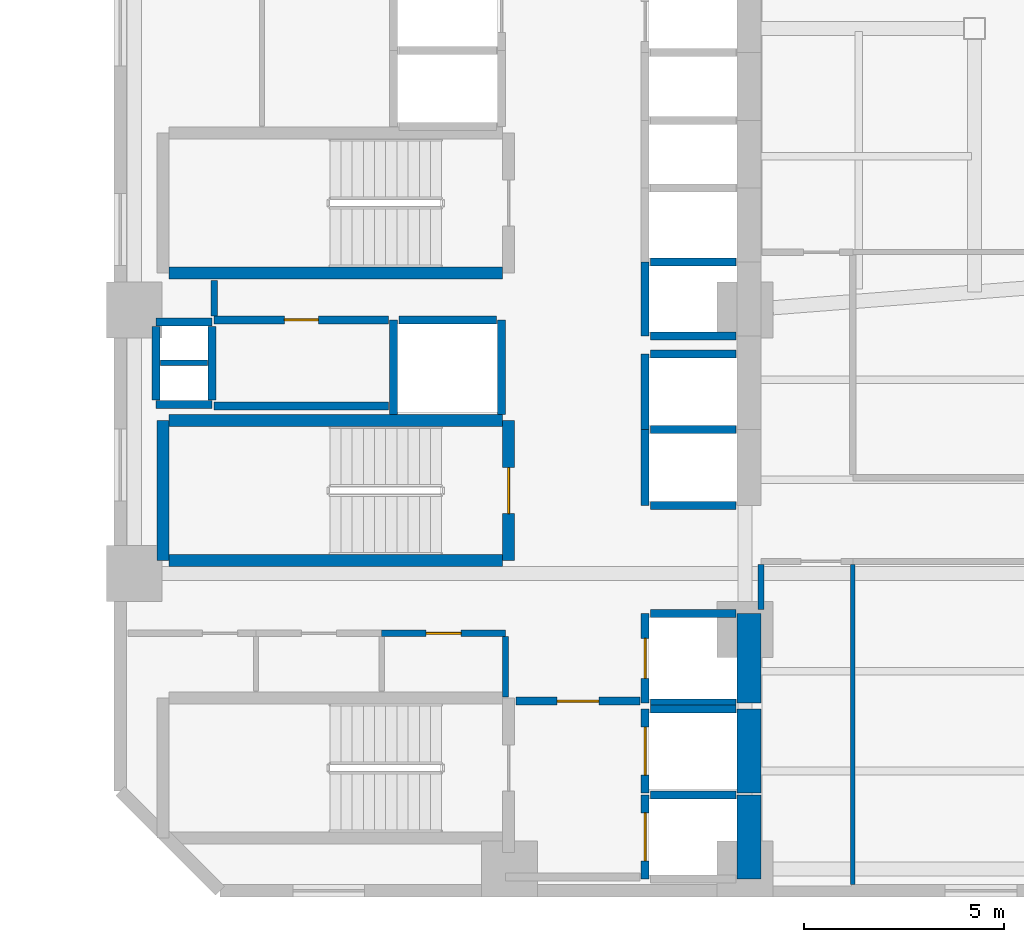
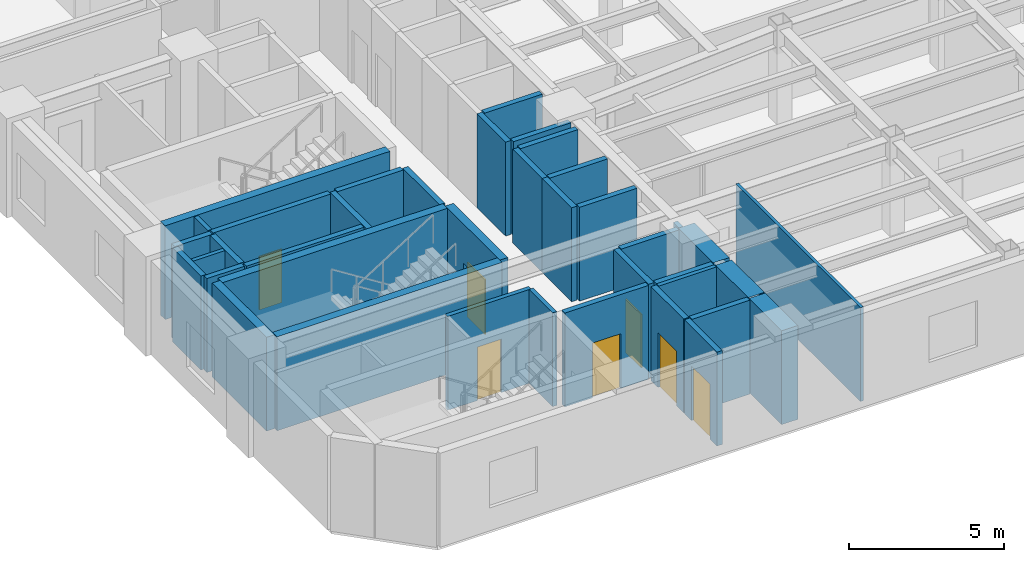
# One storey, part 3 of 10: 39 walls, 7 doors, 7 openings.
"""IFC4 building model written with IfcOpenShell, lengths in metres."""

from ifc_helpers import new_model, si_unit, direction, frame, frame_2d, origin, place, context, subcontext, project, spatial, rectangle, extrude, material, layer, layer_set, type_object, element, fill, save


model = new_model("IFC4")

# Units and contexts
model_context = context("Model", 3, precision=1e-05, world=origin(), true_north=direction((0.0, 1.0)))
body_context = subcontext(model_context, "Body", "Model", "MODEL_VIEW")
ifc_project = project(units=[si_unit("LENGTHUNIT", "METRE"), si_unit("AREAUNIT", "SQUARE_METRE"), si_unit("VOLUMEUNIT", "CUBIC_METRE"), si_unit("PLANEANGLEUNIT", "RADIAN"), si_unit("MASSUNIT", "GRAM", prefix="KILO")], contexts=[model_context])

# Site, building, storey
site_placement = place(None, origin())
site = spatial("IfcSite", under=ifc_project, at=site_placement, CompositionType="ELEMENT")
building_placement = place(site_placement, origin())
building = spatial("IfcBuilding", under=site, at=building_placement, Name="Mawjaban Terraces University", CompositionType="ELEMENT")
storey_placement = place(building_placement, frame((0.0, 0.0, 31.0)))
storey = spatial("IfcBuildingStorey", under=building, at=storey_placement, Name="L06", CompositionType="ELEMENT", Elevation=31.0)

# Walls
ifc_material_1 = material(Name="Concrete C70/85", Category="concrete")
ifc_layer_1 = layer(ifc_material_1, 0.60009765625)
ifc_layer_set_1 = layer_set([ifc_layer_1], Name="Concrete C70/85")
wall_type_1 = type_object("IfcWallType", Name="CoreShearWall_600", PredefinedType="SHEAR", material=ifc_layer_set_1)
wall_1_placement = place(storey_placement, frame((37.75, 0.300048828125, 0.0), z_axis=(0.0, 0.0, 1.0), x_axis=(0.0, 1.0, 0.0)))
element("IfcWall", 1, at=wall_1_placement, inside=storey, type_object=wall_type_1, Name="L06 Lift FL-1 Hoistway Wall East", PredefinedType="SHEAR", context=body_context, shape_type="SweptSolid", body=[
    extrude(rectangle(XDim=2.099853515625, YDim=0.60009765625, at=frame_2d((1.0498046875, 0.0))), origin(), (0.0, 0.0, 1.0), 3.68994140625),
])
wall_2_placement = place(storey_placement, frame((37.75, 2.449951171875, 0.0), z_axis=(0.0, 0.0, 1.0), x_axis=(0.0, 1.0, 0.0)))
element("IfcWall", 2, at=wall_2_placement, inside=storey, type_object=wall_type_1, Name="L06 Lift FL-2 Hoistway Wall East", PredefinedType="SHEAR", context=body_context, shape_type="SweptSolid", body=[
    extrude(rectangle(XDim=2.10009765625, YDim=0.60009765625, at=frame_2d((1.050048828125, 0.0))), origin(), (0.0, 0.0, 1.0), 3.68994140625),
])
wall_3_placement = place(storey_placement, frame((37.75, 4.699951171875, 0.0), z_axis=(0.0, 0.0, 1.0), x_axis=(0.0, 1.0, 0.0)))
element("IfcWall", 3, at=wall_3_placement, inside=storey, type_object=wall_type_1, Name="L06 Lift SL-1 Hoistway Wall East", PredefinedType="SHEAR", context=body_context, shape_type="SweptSolid", body=[
    extrude(rectangle(XDim=2.25, YDim=0.60009765625, at=frame_2d((1.125, 0.0))), origin(), (0.0, 0.0, 1.0), 3.68994140625),
])

# Wall, opening, door
ifc_material_2 = material(Name="Fire-rated gypsum board on steel stud", Category="steel")
ifc_layer_2 = layer(ifc_material_2, 0.159912109375)
ifc_layer_set_2 = layer_set([ifc_layer_2], Name="Fire-rated gypsum board on steel stud")
wall_type_2 = type_object("IfcWallType", Name="CorridorPartition_160", PredefinedType="PARTITIONING", material=ifc_layer_set_2)
wall_4_placement = place(storey_placement, frame((28.550048828125, 6.449951171875, 0.0), z_axis=(0.0, 0.0, 1.0), x_axis=(1.0, 0.0, 0.0)))
wall_4 = element("IfcWall", 4, at=wall_4_placement, inside=storey, type_object=wall_type_2, Name="L06 Core Washroom Lobby Partition 6", PredefinedType="PARTITIONING", context=body_context, shape_type="SweptSolid", body=[
    extrude(rectangle(XDim=3.099853515625, YDim=0.159912109375, at=frame_2d((1.5498046875, 0.0))), origin(), (0.0, 0.0, 1.0), 3.68994140625),
])
opening_1_placement = place(wall_4_placement, frame((1.110107421875, 0.0, 0.0)))
opening_1 = element("IfcOpeningElement", 5, at=opening_1_placement, cuts=wall_4, Name="Opening ID-088", PredefinedType="OPENING", context=body_context, shape_type="SweptSolid", body=[
    extrude(rectangle(XDim=0.8798828125, YDim=2.10009765625, at=frame_2d((0.43994140625, 1.050048828125))), frame((0.0, 0.08984375, 0.0), z_axis=(0.0, -1.0, 0.0), x_axis=(1.0, 0.0, 0.0)), (0.0, 0.0, 1.0), 0.179931640625),
])
ifc_material_3 = material(Name="Powder-coated steel frame and solid acoustic timber leaf", Category="steel")
door_type_1 = type_object("IfcDoorType", Name="ToiletDoor_880x2100", OperationType="NOTDEFINED", PredefinedType="DOOR", material=ifc_material_3)
door_1_placement = place(opening_1_placement, origin())
door_1 = element("IfcDoor", 6, at=door_1_placement, inside=storey, type_object=door_type_1, Name="L06 Accessible Toilet Door", OperationType="SINGLE_SWING_RIGHT", OverallHeight=2.10009765625, OverallWidth=0.8798828125, PredefinedType="DOOR", context=body_context, shape_type="SweptSolid", body=[
    extrude(rectangle(XDim=0.8798828125, YDim=2.10009765625, at=frame_2d((0.43994140625, 1.050048828125))), frame((0.0, 0.02490234375, 0.0), z_axis=(0.0, -1.0, 0.0), x_axis=(1.0, 0.0, 0.0)), (0.0, 0.0, 1.0), 0.050048828125),
])
fill(opening_1, door_1)

# Walls
wall_5_placement = place(storey_placement, frame((24.35009765625, 15.2900390625, 0.0), z_axis=(0.0, 0.0, 1.0), x_axis=(0.0, -1.0, 0.0)))
element("IfcWall", 7, at=wall_5_placement, inside=storey, type_object=wall_type_2, Name="L06 Core Riser Access Passage Partition 28", PredefinedType="PARTITIONING", context=body_context, shape_type="SweptSolid", body=[
    extrude(rectangle(XDim=0.89501953125, YDim=0.159912109375, at=frame_2d((0.447509765625, 0.0))), origin(), (0.0, 0.0, 1.0), 3.68994140625),
])
wall_6_placement = place(storey_placement, frame((31.64990234375, 4.860107421875, 0.0), z_axis=(0.0, 0.0, 1.0), x_axis=(0.0, 1.0, 0.0)))
element("IfcWall", 8, at=wall_6_placement, inside=storey, type_object=wall_type_2, Name="L06 Accessible Toilet Partition 39", PredefinedType="PARTITIONING", context=body_context, shape_type="SweptSolid", body=[
    extrude(rectangle(XDim=1.514892578125, YDim=0.159912109375, at=frame_2d((0.75732421875, 0.0))), origin(), (0.0, 0.0, 1.0), 3.68994140625),
])
wall_7_placement = place(storey_placement, frame((38.050048828125, 7.050048828125, 0.0), z_axis=(0.0, 0.0, 1.0), x_axis=(0.0, 1.0, 0.0)))
element("IfcWall", 9, at=wall_7_placement, inside=storey, type_object=wall_type_2, Name="L06 Core Stair and Lift Lobby East Partition 42", PredefinedType="PARTITIONING", context=body_context, shape_type="SweptSolid", body=[
    extrude(rectangle(XDim=1.125, YDim=0.159912109375, at=frame_2d((0.5625, 0.0))), origin(), (0.0, 0.0, 1.0), 2.9951171875),
])

# Wall, opening, door
ifc_material_4 = material(Name="Concrete C40/50", Category="concrete")
ifc_layer_3 = layer(ifc_material_4, 0.199951171875)
ifc_layer_set_3 = layer_set([ifc_layer_3], Name="Concrete C40/50")
wall_type_3 = type_object("IfcWallType", Name="FireLobbyWall_200", PredefinedType="SOLIDWALL", material=ifc_layer_set_3)
wall_8_placement = place(storey_placement, frame((35.14990234375, 2.39990234375, 0.0), z_axis=(0.0, 0.0, 1.0), x_axis=(0.0, -1.0, 0.0)))
wall_8 = element("IfcWall", 10, at=wall_8_placement, inside=storey, type_object=wall_type_3, Name="L06 Lift FL-1 Hoistway Wall West", PredefinedType="SOLIDWALL", context=body_context, shape_type="SweptSolid", body=[
    extrude(rectangle(XDim=2.099853515625, YDim=0.199951171875, at=frame_2d((1.0498046875, 0.0))), origin(), (0.0, 0.0, 1.0), 3.68994140625),
])
opening_2_placement = place(wall_8_placement, frame((0.449951171875, 0.0, 0.0)))
opening_2 = element("IfcOpeningElement", 11, at=opening_2_placement, cuts=wall_8, Name="Opening LD-FL-1", PredefinedType="OPENING", context=body_context, shape_type="SweptSolid", body=[
    extrude(rectangle(XDim=1.199951171875, YDim=2.14990234375, at=frame_2d((0.60009765625, 1.074951171875))), frame((0.0, 0.10986328125, 0.0), z_axis=(0.0, -1.0, 0.0), x_axis=(1.0, 0.0, 0.0)), (0.0, 0.0, 1.0), 0.219970703125),
])
ifc_material_5 = material(Name="Powder-coated steel frame and fire-rated steel-faced leaf", Category="steel")
door_type_2 = type_object("IfcDoorType", Name="LiftLandingFSAE_1200x2150", OperationType="NOTDEFINED", PredefinedType="DOOR", material=ifc_material_5)
door_2_placement = place(opening_2_placement, origin())
door_2 = element("IfcDoor", 12, at=door_2_placement, inside=storey, type_object=door_type_2, Name="L06 Lift FL-1 Sliding Landing Door", OperationType="DOUBLE_DOOR_SLIDING", OverallHeight=2.14990234375, OverallWidth=1.199951171875, PredefinedType="DOOR", context=body_context, shape_type="SweptSolid", body=[
    extrude(rectangle(XDim=1.199951171875, YDim=2.14990234375, at=frame_2d((0.60009765625, 1.074951171875))), frame((0.0, 0.02490234375, 0.0), z_axis=(0.0, -1.0, 0.0), x_axis=(1.0, 0.0, 0.0)), (0.0, 0.0, 1.0), 0.050048828125),
])
fill(opening_2, door_2)

# Wall
wall_9_placement = place(storey_placement, frame((37.419921875, 2.39990234375, 0.0), z_axis=(0.0, 0.0, 1.0), x_axis=(-1.0, 0.0, 0.0)))
element("IfcWall", 13, at=wall_9_placement, inside=storey, type_object=wall_type_3, Name="L06 Lift FL-1 Hoistway Wall North", PredefinedType="SOLIDWALL", context=body_context, shape_type="SweptSolid", body=[
    extrude(rectangle(XDim=2.139892578125, YDim=0.199951171875, at=frame_2d((1.06982421875, 0.0))), origin(), (0.0, 0.0, 1.0), 3.68994140625),
])

# Wall, opening, door
wall_10_placement = place(storey_placement, frame((35.14990234375, 4.550048828125, 0.0), z_axis=(0.0, 0.0, 1.0), x_axis=(0.0, -1.0, 0.0)))
wall_10 = element("IfcWall", 14, at=wall_10_placement, inside=storey, type_object=wall_type_3, Name="L06 Lift FL-2 Hoistway Wall West", PredefinedType="SOLIDWALL", context=body_context, shape_type="SweptSolid", body=[
    extrude(rectangle(XDim=2.10009765625, YDim=0.199951171875, at=frame_2d((1.050048828125, 0.0))), origin(), (0.0, 0.0, 1.0), 3.68994140625),
])
opening_3_placement = place(wall_10_placement, frame((0.449951171875, 0.0, 0.0)))
opening_3 = element("IfcOpeningElement", 15, at=opening_3_placement, cuts=wall_10, Name="Opening LD-FL-2", PredefinedType="OPENING", context=body_context, shape_type="SweptSolid", body=[
    extrude(rectangle(XDim=1.199951171875, YDim=2.14990234375, at=frame_2d((0.60009765625, 1.074951171875))), frame((0.0, 0.10986328125, 0.0), z_axis=(0.0, -1.0, 0.0), x_axis=(1.0, 0.0, 0.0)), (0.0, 0.0, 1.0), 0.219970703125),
])
door_3_placement = place(opening_3_placement, origin())
door_3 = element("IfcDoor", 16, at=door_3_placement, inside=storey, type_object=door_type_2, Name="L06 Lift FL-2 Sliding Landing Door", OperationType="DOUBLE_DOOR_SLIDING", OverallHeight=2.14990234375, OverallWidth=1.199951171875, PredefinedType="DOOR", context=body_context, shape_type="SweptSolid", body=[
    extrude(rectangle(XDim=1.199951171875, YDim=2.14990234375, at=frame_2d((0.60009765625, 1.074951171875))), frame((0.0, 0.02490234375, 0.0), z_axis=(0.0, -1.0, 0.0), x_axis=(1.0, 0.0, 0.0)), (0.0, 0.0, 1.0), 0.050048828125),
])
fill(opening_3, door_3)

# Wall
wall_11_placement = place(storey_placement, frame((37.419921875, 4.550048828125, 0.0), z_axis=(0.0, 0.0, 1.0), x_axis=(-1.0, 0.0, 0.0)))
element("IfcWall", 17, at=wall_11_placement, inside=storey, type_object=wall_type_3, Name="L06 Lift FL-2 Hoistway Wall North", PredefinedType="SOLIDWALL", context=body_context, shape_type="SweptSolid", body=[
    extrude(rectangle(XDim=2.139892578125, YDim=0.199951171875, at=frame_2d((1.06982421875, 0.0))), origin(), (0.0, 0.0, 1.0), 3.68994140625),
])

# Wall, opening, door
wall_12_placement = place(storey_placement, frame((35.14990234375, 6.949951171875, 0.0), z_axis=(0.0, 0.0, 1.0), x_axis=(0.0, -1.0, 0.0)))
wall_12 = element("IfcWall", 18, at=wall_12_placement, inside=storey, type_object=wall_type_3, Name="L06 Lift SL-1 Hoistway Wall West", PredefinedType="SOLIDWALL", context=body_context, shape_type="SweptSolid", body=[
    extrude(rectangle(XDim=2.25, YDim=0.199951171875, at=frame_2d((1.125, 0.0))), origin(), (0.0, 0.0, 1.0), 3.68994140625),
])
opening_4_placement = place(wall_12_placement, frame((0.625, 0.0, 0.0)))
opening_4 = element("IfcOpeningElement", 19, at=opening_4_placement, cuts=wall_12, Name="Opening LD-SL-1", PredefinedType="OPENING", context=body_context, shape_type="SweptSolid", body=[
    extrude(rectangle(XDim=1.0, YDim=2.10009765625, at=frame_2d((0.5, 1.050048828125))), frame((0.0, 0.10986328125, 0.0), z_axis=(0.0, -1.0, 0.0), x_axis=(1.0, 0.0, 0.0)), (0.0, 0.0, 1.0), 0.219970703125),
])
door_type_3 = type_object("IfcDoorType", Name="LiftLandingSliding_1000x2100", OperationType="NOTDEFINED", PredefinedType="DOOR", material=ifc_material_5)
door_4_placement = place(opening_4_placement, origin())
door_4 = element("IfcDoor", 20, at=door_4_placement, inside=storey, type_object=door_type_3, Name="L06 Lift SL-1 Sliding Landing Door", OperationType="DOUBLE_DOOR_SLIDING", OverallHeight=2.10009765625, OverallWidth=1.0, PredefinedType="DOOR", context=body_context, shape_type="SweptSolid", body=[
    extrude(rectangle(XDim=1.0, YDim=2.10009765625, at=frame_2d((0.5, 1.050048828125))), frame((0.0, 0.02490234375, 0.0), z_axis=(0.0, -1.0, 0.0), x_axis=(1.0, 0.0, 0.0)), (0.0, 0.0, 1.0), 0.050048828125),
])
fill(opening_4, door_4)

# Walls
for number, where, z_axis, x_axis, name in (
    (21, (35.280029296875, 4.699951171875, 0.0), (0.0, 0.0, 1.0), (1.0, 0.0, 0.0), "L06 Lift SL-1 Hoistway Wall South"),
    (22, (37.419921875, 6.949951171875, 0.0), (0.0, 0.0, 1.0), (-1.0, 0.0, 0.0), "L06 Lift SL-1 Hoistway Wall North"),
):
    element("IfcWall", number, at=place(storey_placement, frame(where, z_axis=z_axis, x_axis=x_axis)), inside=storey, type_object=wall_type_3, Name=name, PredefinedType="SOLIDWALL", context=body_context, shape_type="SweptSolid", body=[
        extrude(rectangle(XDim=2.139892578125, YDim=0.199951171875, at=frame_2d((1.06982421875, 0.0))), origin(), (0.0, 0.0, 1.0), 3.68994140625),
    ])
wall_13_placement = place(storey_placement, frame((35.14990234375, 11.550048828125, 0.0), z_axis=(0.0, 0.0, 1.0), x_axis=(0.0, -1.0, 0.0)))
element("IfcWall", 23, at=wall_13_placement, inside=storey, type_object=wall_type_3, Name="L06 Lift PL-H1 Hoistway Wall West", PredefinedType="SOLIDWALL", context=body_context, shape_type="SweptSolid", body=[
    extrude(rectangle(XDim=1.900146484375, YDim=0.199951171875, at=frame_2d((0.9501953125, 0.0))), origin(), (0.0, 0.0, 1.0), 3.68994140625),
])
for number, where, z_axis, x_axis, name in (
    (24, (35.280029296875, 9.64990234375, 0.0), (0.0, 0.0, 1.0), (1.0, 0.0, 0.0), "L06 Lift PL-H1 Hoistway Wall South"),
    (25, (37.419921875, 11.550048828125, 0.0), (0.0, 0.0, 1.0), (-1.0, 0.0, 0.0), "L06 Lift PL-H1 Hoistway Wall North"),
):
    element("IfcWall", number, at=place(storey_placement, frame(where, z_axis=z_axis, x_axis=x_axis)), inside=storey, type_object=wall_type_3, Name=name, PredefinedType="SOLIDWALL", context=body_context, shape_type="SweptSolid", body=[
        extrude(rectangle(XDim=2.139892578125, YDim=0.199951171875, at=frame_2d((1.06982421875, 0.0))), origin(), (0.0, 0.0, 1.0), 3.68994140625),
    ])
wall_14_placement = place(storey_placement, frame((35.14990234375, 13.449951171875, 0.0), z_axis=(0.0, 0.0, 1.0), x_axis=(0.0, -1.0, 0.0)))
element("IfcWall", 26, at=wall_14_placement, inside=storey, type_object=wall_type_3, Name="L06 Lift PL-H2 Hoistway Wall West", PredefinedType="SOLIDWALL", context=body_context, shape_type="SweptSolid", body=[
    extrude(rectangle(XDim=1.89990234375, YDim=0.199951171875, at=frame_2d((0.949951171875, 0.0))), origin(), (0.0, 0.0, 1.0), 3.68994140625),
])
wall_15_placement = place(storey_placement, frame((37.419921875, 13.449951171875, 0.0), z_axis=(0.0, 0.0, 1.0), x_axis=(-1.0, 0.0, 0.0)))
element("IfcWall", 27, at=wall_15_placement, inside=storey, type_object=wall_type_3, Name="L06 Lift PL-H2 Hoistway Wall North", PredefinedType="SOLIDWALL", context=body_context, shape_type="SweptSolid", body=[
    extrude(rectangle(XDim=2.139892578125, YDim=0.199951171875, at=frame_2d((1.06982421875, 0.0))), origin(), (0.0, 0.0, 1.0), 3.68994140625),
])
for number, where, z_axis, x_axis, name in (
    (28, (28.85009765625, 14.300048828125, 0.0), (0.0, 0.0, 1.0), (0.0, -1.0, 0.0), "L06 Lift PL-H3 Hoistway Wall West"),
    (29, (31.550048828125, 11.929931640625, 0.0), (0.0, 0.0, 1.0), (0.0, 1.0, 0.0), "L06 Lift PL-H3 Hoistway Wall East"),
):
    element("IfcWall", number, at=place(storey_placement, frame(where, z_axis=z_axis, x_axis=x_axis)), inside=storey, type_object=wall_type_3, Name=name, PredefinedType="SOLIDWALL", context=body_context, shape_type="SweptSolid", body=[
        extrude(rectangle(XDim=2.3701171875, YDim=0.199951171875, at=frame_2d((1.18505859375, 0.0))), origin(), (0.0, 0.0, 1.0), 3.68994140625),
    ])
wall_16_placement = place(storey_placement, frame((31.419921875, 14.300048828125, 0.0), z_axis=(0.0, 0.0, 1.0), x_axis=(-1.0, 0.0, 0.0)))
element("IfcWall", 30, at=wall_16_placement, inside=storey, type_object=wall_type_3, Name="L06 Lift PL-H3 Hoistway Wall North", PredefinedType="SOLIDWALL", context=body_context, shape_type="SweptSolid", body=[
    extrude(rectangle(XDim=2.43994140625, YDim=0.199951171875, at=frame_2d((1.219970703125, 0.0))), origin(), (0.0, 0.0, 1.0), 3.68994140625),
])
wall_17_placement = place(storey_placement, frame((35.14990234375, 15.75, 0.0), z_axis=(0.0, 0.0, 1.0), x_axis=(0.0, -1.0, 0.0)))
element("IfcWall", 31, at=wall_17_placement, inside=storey, type_object=wall_type_3, Name="L06 Lift OL-1 Hoistway Wall West", PredefinedType="SOLIDWALL", context=body_context, shape_type="SweptSolid", body=[
    extrude(rectangle(XDim=1.85009765625, YDim=0.199951171875, at=frame_2d((0.925048828125, 0.0))), origin(), (0.0, 0.0, 1.0), 3.68994140625),
])
for number, where, z_axis, x_axis, name in (
    (32, (35.280029296875, 13.89990234375, 0.0), (0.0, 0.0, 1.0), (1.0, 0.0, 0.0), "L06 Lift OL-1 Hoistway Wall South"),
    (33, (37.419921875, 15.75, 0.0), (0.0, 0.0, 1.0), (-1.0, 0.0, 0.0), "L06 Lift OL-1 Hoistway Wall North"),
):
    element("IfcWall", number, at=place(storey_placement, frame(where, z_axis=z_axis, x_axis=x_axis)), inside=storey, type_object=wall_type_3, Name=name, PredefinedType="SOLIDWALL", context=body_context, shape_type="SweptSolid", body=[
        extrude(rectangle(XDim=2.139892578125, YDim=0.199951171875, at=frame_2d((1.06982421875, 0.0))), origin(), (0.0, 0.0, 1.0), 3.68994140625),
    ])
for number, where, z_axis, x_axis, name in (
    (34, (22.89990234375, 14.25, 0.0), (0.0, 0.0, 1.0), (1.0, 0.0, 0.0), "L06 MEP Riser Shaft Wall N"),
    (35, (22.89990234375, 12.179931640625, 0.0), (0.0, 0.0, 1.0), (1.0, 0.0, 0.0), "L06 MEP Riser Shaft Wall S"),
):
    element("IfcWall", number, at=place(storey_placement, frame(where, z_axis=z_axis, x_axis=x_axis)), inside=storey, type_object=wall_type_3, Name=name, PredefinedType="SOLIDWALL", context=body_context, shape_type="SweptSolid", body=[
        extrude(rectangle(XDim=1.400146484375, YDim=0.199951171875, at=frame_2d((0.7001953125, 0.0))), origin(), (0.0, 0.0, 1.0), 3.68994140625),
    ])
for number, where, z_axis, x_axis, name in (
    (36, (24.300048828125, 12.300048828125, 0.0), (0.0, 0.0, 1.0), (0.0, 1.0, 0.0), "L06 MEP Riser Shaft Wall E"),
    (37, (22.89990234375, 12.300048828125, 0.0), (0.0, 0.0, 1.0), (0.0, 1.0, 0.0), "L06 MEP Riser Shaft Wall W"),
):
    element("IfcWall", number, at=place(storey_placement, frame(where, z_axis=z_axis, x_axis=x_axis)), inside=storey, type_object=wall_type_3, Name=name, PredefinedType="SOLIDWALL", context=body_context, shape_type="SweptSolid", body=[
        extrude(rectangle(XDim=1.829833984375, YDim=0.199951171875, at=frame_2d((0.9150390625, 0.0))), origin(), (0.0, 0.0, 1.0), 3.68994140625),
    ])
wall_18_placement = place(storey_placement, frame((24.35009765625, 12.14990234375, 0.0), z_axis=(0.0, 0.0, 1.0), x_axis=(1.0, 0.0, 0.0)))
element("IfcWall", 38, at=wall_18_placement, inside=storey, type_object=wall_type_3, Name="L06 IT and Telecoms Riser Room Partition 2", PredefinedType="SOLIDWALL", context=body_context, shape_type="SweptSolid", body=[
    extrude(rectangle(XDim=4.369873046875, YDim=0.199951171875, at=frame_2d((2.18505859375, 0.0))), origin(), (0.0, 0.0, 1.0), 3.68994140625),
])

# Wall, opening, door
wall_19_placement = place(storey_placement, frame((24.35009765625, 14.300048828125, 0.0), z_axis=(0.0, 0.0, 1.0), x_axis=(1.0, 0.0, 0.0)))
wall_19 = element("IfcWall", 39, at=wall_19_placement, inside=storey, type_object=wall_type_3, Name="L06 Core Riser Access Passage Partition 3", PredefinedType="SOLIDWALL", context=body_context, shape_type="SweptSolid", body=[
    extrude(rectangle(XDim=4.369873046875, YDim=0.199951171875, at=frame_2d((2.18505859375, 0.0))), origin(), (0.0, 0.0, 1.0), 3.68994140625),
])
opening_5_placement = place(wall_19_placement, frame((1.760009765625, 0.0, 0.0)))
opening_5 = element("IfcOpeningElement", 40, at=opening_5_placement, cuts=wall_19, Name="Opening FD-085", PredefinedType="OPENING", context=body_context, shape_type="SweptSolid", body=[
    extrude(rectangle(XDim=0.85009765625, YDim=2.10009765625, at=frame_2d((0.425048828125, 1.050048828125))), frame((0.0, 0.10986328125, 0.0), z_axis=(0.0, -1.0, 0.0), x_axis=(1.0, 0.0, 0.0)), (0.0, 0.0, 1.0), 0.219970703125),
])
door_type_4 = type_object("IfcDoorType", Name="FireRiserDoor_850x2100", OperationType="NOTDEFINED", PredefinedType="DOOR", material=ifc_material_5)
door_5_placement = place(opening_5_placement, origin())
door_5 = element("IfcDoor", 41, at=door_5_placement, inside=storey, type_object=door_type_4, Name="L06 IT and Telecoms Riser Room Door", OperationType="SINGLE_SWING_LEFT", OverallHeight=2.10009765625, OverallWidth=0.85009765625, PredefinedType="DOOR", context=body_context, shape_type="SweptSolid", body=[
    extrude(rectangle(XDim=0.85009765625, YDim=2.10009765625, at=frame_2d((0.425048828125, 1.050048828125))), frame((0.0, 0.02490234375, 0.0), z_axis=(0.0, -1.0, 0.0), x_axis=(1.0, 0.0, 0.0)), (0.0, 0.0, 1.0), 0.050048828125),
])
fill(opening_5, door_5)

wall_20_placement = place(storey_placement, frame((35.02001953125, 4.75, 0.0), z_axis=(0.0, 0.0, 1.0), x_axis=(-1.0, 0.0, 0.0)))
wall_20 = element("IfcWall", 42, at=wall_20_placement, inside=storey, type_object=wall_type_3, Name="L06 Firefighting Lift Lobby Partition 13", PredefinedType="SOLIDWALL", context=body_context, shape_type="SweptSolid", body=[
    extrude(rectangle(XDim=3.110107421875, YDim=0.199951171875, at=frame_2d((1.55517578125, 0.0))), origin(), (0.0, 0.0, 1.0), 3.68994140625),
])
opening_6_placement = place(wall_20_placement, frame((1.030029296875, 0.0, 0.0)))
opening_6 = element("IfcOpeningElement", 43, at=opening_6_placement, cuts=wall_20, Name="Opening FD-105", PredefinedType="OPENING", context=body_context, shape_type="SweptSolid", body=[
    extrude(rectangle(XDim=1.050048828125, YDim=2.14990234375, at=frame_2d((0.52490234375, 1.074951171875))), frame((0.0, 0.10986328125, 0.0), z_axis=(0.0, -1.0, 0.0), x_axis=(1.0, 0.0, 0.0)), (0.0, 0.0, 1.0), 0.219970703125),
])
door_type_5 = type_object("IfcDoorType", Name="FireLobbyDoor_1050x2150", OperationType="NOTDEFINED", PredefinedType="DOOR", material=ifc_material_5)
door_6_placement = place(opening_6_placement, origin())
door_6 = element("IfcDoor", 44, at=door_6_placement, inside=storey, type_object=door_type_5, Name="L06 Firefighting Lift Lobby Door", OperationType="SINGLE_SWING_LEFT", OverallHeight=2.14990234375, OverallWidth=1.050048828125, PredefinedType="DOOR", context=body_context, shape_type="SweptSolid", body=[
    extrude(rectangle(XDim=1.050048828125, YDim=2.14990234375, at=frame_2d((0.52490234375, 1.074951171875))), frame((0.0, 0.02490234375, 0.0), z_axis=(0.0, -1.0, 0.0), x_axis=(1.0, 0.0, 0.0)), (0.0, 0.0, 1.0), 0.050048828125),
])
fill(opening_6, door_6)

# Walls
ifc_material_6 = material(Name="Moisture-resistant gypsum board on steel stud", Category="steel")
ifc_layer_4 = layer(ifc_material_6, 0.14501953125)
ifc_layer_set_4 = layer_set([ifc_layer_4], Name="Moisture-resistant gypsum board on steel stud")
wall_type_4 = type_object("IfcWallType", Name="LabPartition_145", PredefinedType="PARTITIONING", material=ifc_layer_set_4)
wall_21_placement = place(storey_placement, frame((23.010009765625, 13.22509765625, 0.0), z_axis=(0.0, 0.0, 1.0), x_axis=(1.0, 0.0, 0.0)))
element("IfcWall", 45, at=wall_21_placement, inside=storey, type_object=wall_type_4, Name="L06 MEP Riser Shaft Wall M", PredefinedType="PARTITIONING", context=body_context, shape_type="SweptSolid", body=[
    extrude(rectangle(XDim=1.179931640625, YDim=0.14501953125, at=frame_2d((0.58984375, 0.0))), origin(), (0.0, 0.0, 1.0), 3.68994140625),
])
ifc_material_7 = material(Name="Acoustic operable panel partition", Category="masonry")
ifc_layer_5 = layer(ifc_material_7, 0.110107421875)
ifc_layer_set_5 = layer_set([ifc_layer_5], Name="Acoustic operable panel partition")
wall_type_5 = type_object("IfcWallType", Name="OperableSeminarWall_110", PredefinedType="MOVABLE", material=ifc_layer_set_5)
wall_22_placement = place(storey_placement, frame((40.35009765625, 0.155029296875, 0.0), z_axis=(0.0, 0.0, 1.0), x_axis=(0.0, 1.0, 0.0)))
element("IfcWall", 46, at=wall_22_placement, inside=storey, type_object=wall_type_5, Name="L06 Classroom 1 Partition 44", PredefinedType="MOVABLE", context=body_context, shape_type="SweptSolid", body=[
    extrude(rectangle(XDim=8.02001953125, YDim=0.110107421875, at=frame_2d((4.010009765625, 0.0))), origin(), (0.0, 0.0, 1.0), 3.68994140625),
])
ifc_material_8 = material(Name="Concrete C60/75", Category="concrete")
ifc_layer_6 = layer(ifc_material_8, 0.300048828125)
ifc_layer_set_6 = layer_set([ifc_layer_6], Name="Concrete C60/75")
wall_type_6 = type_object("IfcWallType", Name="StairShaftWall_300", PredefinedType="SHEAR", material=ifc_layer_set_6)
for number, where, z_axis, x_axis, name in (
    (47, (23.219970703125, 15.469970703125, 0.0), (0.0, 0.0, 1.0), (1.0, 0.0, 0.0), "L06 ST-2 Stair Shaft Wall 3"),
    (48, (31.580078125, 11.780029296875, 0.0), (0.0, 0.0, 1.0), (-1.0, 0.0, 0.0), "L06 ST-3 Stair Shaft Wall 1"),
):
    element("IfcWall", number, at=place(storey_placement, frame(where, z_axis=z_axis, x_axis=x_axis)), inside=storey, type_object=wall_type_6, Name=name, PredefinedType="SHEAR", context=body_context, shape_type="SweptSolid", body=[
        extrude(rectangle(XDim=8.360107421875, YDim=0.300048828125, at=frame_2d((4.18017578125, 0.0))), origin(), (0.0, 0.0, 1.0), 3.68994140625),
    ])
wall_23_placement = place(storey_placement, frame((23.070068359375, 11.780029296875, 0.0), z_axis=(0.0, 0.0, 1.0), x_axis=(0.0, -1.0, 0.0)))
element("IfcWall", 49, at=wall_23_placement, inside=storey, type_object=wall_type_6, Name="L06 ST-3 Stair Shaft Wall 2", PredefinedType="SHEAR", context=body_context, shape_type="SweptSolid", body=[
    extrude(rectangle(XDim=3.510009765625, YDim=0.300048828125, at=frame_2d((1.7548828125, 0.0))), origin(), (0.0, 0.0, 1.0), 3.68994140625),
])
wall_24_placement = place(storey_placement, frame((23.219970703125, 8.27001953125, 0.0), z_axis=(0.0, 0.0, 1.0), x_axis=(1.0, 0.0, 0.0)))
element("IfcWall", 50, at=wall_24_placement, inside=storey, type_object=wall_type_6, Name="L06 ST-3 Stair Shaft Wall 3", PredefinedType="SHEAR", context=body_context, shape_type="SweptSolid", body=[
    extrude(rectangle(XDim=8.360107421875, YDim=0.300048828125, at=frame_2d((4.18017578125, 0.0))), origin(), (0.0, 0.0, 1.0), 3.68994140625),
])

# Wall, opening, door
wall_25_placement = place(storey_placement, frame((31.72998046875, 8.27001953125, 0.0), z_axis=(0.0, 0.0, 1.0), x_axis=(0.0, 1.0, 0.0)))
wall_25 = element("IfcWall", 51, at=wall_25_placement, inside=storey, type_object=wall_type_6, Name="L06 ST-3 Stair Shaft Wall 4", PredefinedType="SHEAR", context=body_context, shape_type="SweptSolid", body=[
    extrude(rectangle(XDim=3.510009765625, YDim=0.300048828125, at=frame_2d((1.7548828125, 0.0))), origin(), (0.0, 0.0, 1.0), 3.68994140625),
])
opening_7_placement = place(wall_25_placement, frame((1.179931640625, 0.0, 0.0)))
opening_7 = element("IfcOpeningElement", 52, at=opening_7_placement, cuts=wall_25, Name="Opening FD-115", PredefinedType="OPENING", context=body_context, shape_type="SweptSolid", body=[
    extrude(rectangle(XDim=1.14990234375, YDim=2.14990234375, at=frame_2d((0.574951171875, 1.074951171875))), frame((0.0, 0.159912109375, 0.0), z_axis=(0.0, -1.0, 0.0), x_axis=(1.0, 0.0, 0.0)), (0.0, 0.0, 1.0), 0.320068359375),
])
door_type_6 = type_object("IfcDoorType", Name="FireStairDoor_1150x2150", OperationType="NOTDEFINED", PredefinedType="DOOR", material=ifc_material_5)
door_7_placement = place(opening_7_placement, origin())
door_7 = element("IfcDoor", 53, at=door_7_placement, inside=storey, type_object=door_type_6, Name="L06 ST-3 Pressurised Stair Fire Door", OperationType="SINGLE_SWING_RIGHT", OverallHeight=2.14990234375, OverallWidth=1.14990234375, PredefinedType="DOOR", context=body_context, shape_type="SweptSolid", body=[
    extrude(rectangle(XDim=1.14990234375, YDim=2.14990234375, at=frame_2d((0.574951171875, 1.074951171875))), frame((0.0, 0.02490234375, 0.0), z_axis=(0.0, -1.0, 0.0), x_axis=(1.0, 0.0, 0.0)), (0.0, 0.0, 1.0), 0.050048828125),
])
fill(opening_7, door_7)

save(model, "model.ifc")
